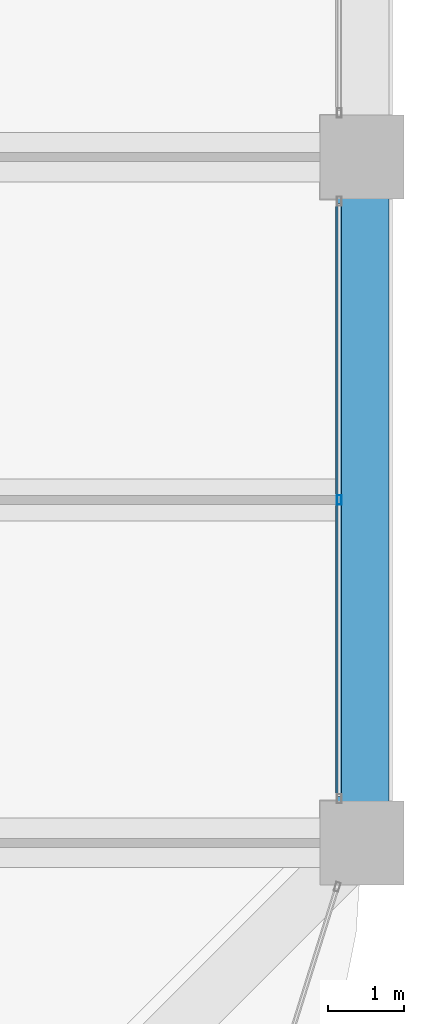
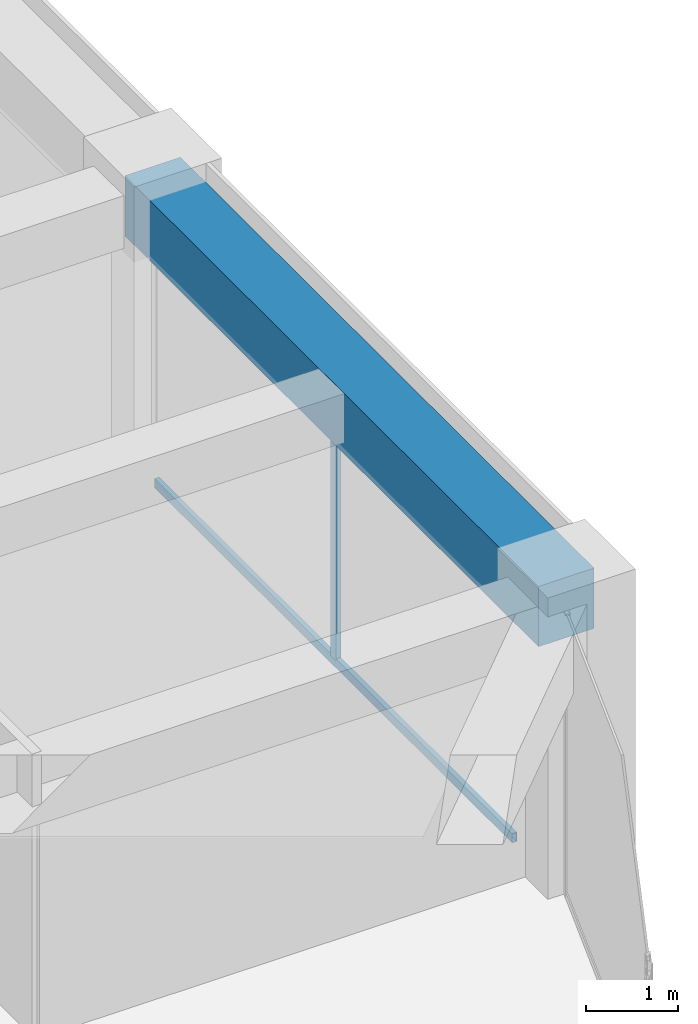
# One storey, part 23 of 44: 2 members, 1 beam, 1 element without a shape of its own.
"""IFC4 building model written with IfcOpenShell, lengths in metres."""

from ifc_helpers import new_model, si_unit, direction, frame, origin, origin_2d, place, context, subcontext, project, spatial, rectangle, hollow_rectangle, extrude, material, material_profile, profile_set, type_object, element, aggregate, save


model = new_model("IFC4")

# Units and contexts
model_context = context("Model", 3, precision=1e-05, world=origin(), true_north=direction((0.0, 1.0)))
body_context = subcontext(model_context, "Body", "Model", "MODEL_VIEW")
ifc_project = project(units=[si_unit("LENGTHUNIT", "METRE"), si_unit("AREAUNIT", "SQUARE_METRE"), si_unit("VOLUMEUNIT", "CUBIC_METRE"), si_unit("PLANEANGLEUNIT", "RADIAN"), si_unit("MASSUNIT", "GRAM", prefix="KILO")], contexts=[model_context])

# Site, building, storey
site_placement = place(None, origin())
site = spatial("IfcSite", under=ifc_project, at=site_placement, CompositionType="ELEMENT")
building_placement = place(site_placement, origin())
building = spatial("IfcBuilding", under=site, at=building_placement, Name="Zorevar Civic Tower", CompositionType="ELEMENT")
storey_placement = place(building_placement, frame((0.0, 0.0, 259.39990234375)))
storey = spatial("IfcBuildingStorey", under=building, at=storey_placement, Name="L63", CompositionType="ELEMENT", Elevation=259.39990234375)

# Curtain wall, members
ifc_material_1 = material(Name="Dark grey solar-control glass in black aluminium frame", Category="aluminium")
curtain_wall_type = type_object("IfcCurtainWallType", Name="Curtain wall CW5 top zone", PredefinedType="NOTDEFINED", material=ifc_material_1)
curtain_wall_placement = place(storey_placement, origin())
curtain_wall = element("IfcCurtainWall", 1, at=curtain_wall_placement, inside=storey, type_object=curtain_wall_type, Name="CW5 L63", PredefinedType="NOTDEFINED")
ifc_material_2 = material(Name="Aluminium, black anodised", Category="aluminium")
ifc_material_profile_1 = material_profile(ifc_material_2, hollow_rectangle(XDim=0.06005859375, YDim=0.1201171875, WallThickness=0.0029296875, at=origin_2d()), Name="AL 120x60x3")
ifc_profile_set_1 = profile_set([ifc_material_profile_1], Name="Aluminium, black anodised")
member_type_1 = type_object("IfcMemberType", Name="CW5 mullion AL 120x60x3", PredefinedType="MULLION", material=ifc_profile_set_1)
member_1_placement = place(storey_placement, frame((53.699951171875, 13.5, 0.06005859375), z_axis=(0.0, 0.0, 1.0), x_axis=(-1.0, 0.0, 0.0)))
member_1 = element("IfcMember", 2, at=member_1_placement, type_object=member_type_1, Name="CW5 mullion 2", PredefinedType="MULLION", context=body_context, shape_type="SweptSolid", body=[
    extrude(hollow_rectangle(XDim=0.06005859375, YDim=0.1201171875, WallThickness=0.0029296875, at=origin_2d()), origin(), (0.0, 0.0, 1.0), 2.89013671875),
])
ifc_material_3 = material(Name="Aluminium, black anodised", Category="aluminium")
ifc_material_profile_2 = material_profile(ifc_material_3, hollow_rectangle(XDim=0.06005859375, YDim=0.1201171875, WallThickness=0.0029296875, at=origin_2d()), Name="AL 120x60x3")
ifc_profile_set_2 = profile_set([ifc_material_profile_2], Name="Aluminium, black anodised")
member_type_2 = type_object("IfcMemberType", Name="CW5 transom AL 120x60x3", PredefinedType="USERDEFINED", material=ifc_profile_set_2)
member_2_placement = place(storey_placement, frame((53.699951171875, 9.610107421875, 0.030029296875), z_axis=(0.0, 1.0, 0.0), x_axis=(-1.0, 0.0, 0.0)))
member_2 = element("IfcMember", 3, at=member_2_placement, type_object=member_type_2, Name="CW5 sill transom", ObjectType="TRANSOM", PredefinedType="USERDEFINED", context=body_context, shape_type="SweptSolid", body=[
    extrude(hollow_rectangle(XDim=0.06005859375, YDim=0.1201171875, WallThickness=0.0029296875, at=origin_2d()), origin(), (0.0, 0.0, 1.0), 7.77978515625),
])
aggregate(curtain_wall, [member_1, member_2])

# Beam
ifc_material_4 = material(Name="Concrete C50/60", Category="concrete")
ifc_material_profile_3 = material_profile(ifc_material_4, rectangle(XDim=0.699951171875, YDim=0.800048828125, at=origin_2d()), Name="RC 700x800")
ifc_profile_set_3 = profile_set([ifc_material_profile_3], Name="Concrete C50/60")
beam_type = type_object("IfcBeamType", Name="Edge beam RC 700x800", PredefinedType="SPANDREL", material=ifc_profile_set_3)
beam_placement = place(storey_placement, frame((54.0, 9.0, 3.35009765625), z_axis=(0.0, 1.0, 0.0), x_axis=(-1.0, 0.0, 0.0)))
element("IfcBeam", 4, at=beam_placement, inside=storey, type_object=beam_type, Name="Edge beam L64", PredefinedType="SPANDREL", context=body_context, shape_type="SweptSolid", body=[
    extrude(rectangle(XDim=0.699951171875, YDim=0.800048828125, at=origin_2d()), origin(), (0.0, 0.0, 1.0), 9.0),
])

save(model, "model.ifc")
